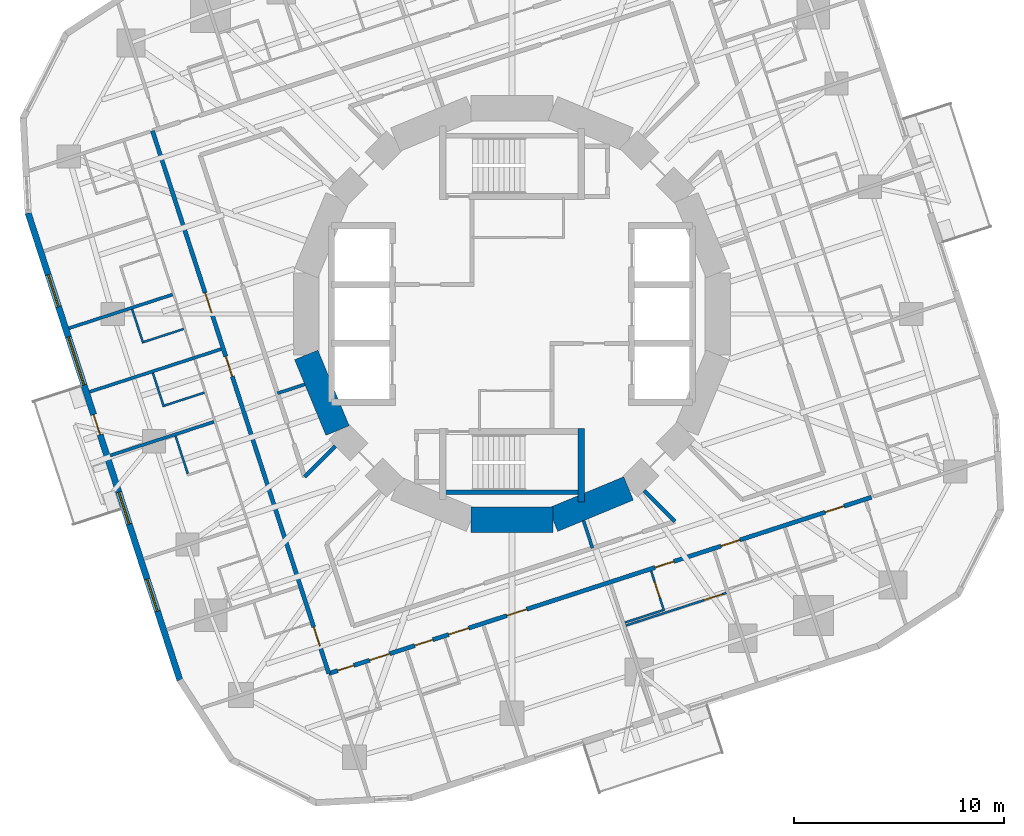
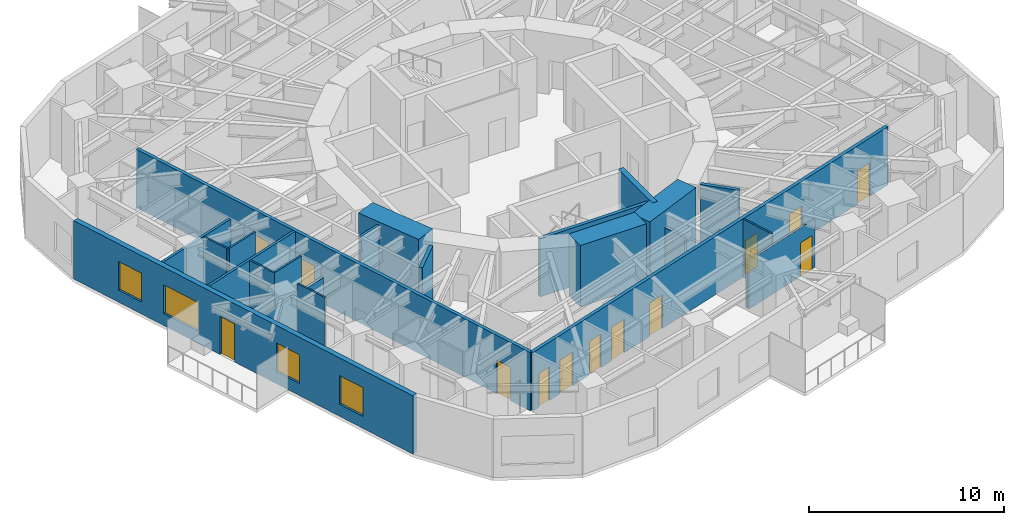
# One storey, part 5 of 13: 23 walls, 14 doors, 4 windows, 18 openings.
"""IFC4 building model written with IfcOpenShell, lengths in metres."""

from ifc_helpers import new_model, si_unit, direction, frame, frame_2d, origin, place, context, subcontext, project, spatial, rectangle, extrude, material, layer, layer_set, type_object, element, fill, save


model = new_model("IFC4")

# Units and contexts
model_context = context("Model", 3, precision=1e-05, world=origin(), true_north=direction((0.0, 1.0)))
body_context = subcontext(model_context, "Body", "Model", "MODEL_VIEW")
ifc_project = project(units=[si_unit("LENGTHUNIT", "METRE"), si_unit("AREAUNIT", "SQUARE_METRE"), si_unit("VOLUMEUNIT", "CUBIC_METRE"), si_unit("PLANEANGLEUNIT", "RADIAN"), si_unit("MASSUNIT", "GRAM", prefix="KILO")], contexts=[model_context])

# Site, building, storey
site_placement = place(None, origin())
site = spatial("IfcSite", under=ifc_project, at=site_placement, CompositionType="ELEMENT")
building_placement = place(site_placement, origin())
building = spatial("IfcBuilding", under=site, at=building_placement, Name="Nakasero Lantern House", CompositionType="ELEMENT")
storey_placement = place(building_placement, frame((0.0, 0.0, 161.050048828125)))
storey = spatial("IfcBuildingStorey", under=building, at=storey_placement, Name="L39", CompositionType="ELEMENT", Elevation=161.050048828125)

# Walls
ifc_material_1 = material(Name="Concrete C50/60", Category="concrete")
ifc_layer_1 = layer(ifc_material_1, 0.300048828125)
ifc_layer_set_1 = layer_set([ifc_layer_1], Name="Core inner wall 300")
wall_type_1 = type_object("IfcWallType", Name="Core inner wall 300", PredefinedType="SHEAR", material=ifc_layer_set_1)
wall_1_placement = place(storey_placement, frame((3.300048828125, -5.449951171875, 0.0), z_axis=(0.0, 0.0, 1.0), x_axis=(0.0, -1.0, 0.0)))
element("IfcWall", 1, at=wall_1_placement, inside=storey, type_object=wall_type_1, Name="Core inner wall L39 SSE", PredefinedType="SHEAR", context=body_context, shape_type="SweptSolid", body=[
    extrude(rectangle(XDim=3.5, YDim=0.300048828125, at=frame_2d((1.75, 0.0))), origin(), (0.0, 0.0, 1.0), 3.849853515625),
])
ifc_material_2 = material(Name="Concrete C50/60", Category="concrete")
ifc_layer_2 = layer(ifc_material_2, 1.199951171875)
ifc_layer_set_2 = layer_set([ifc_layer_2], Name="Core wall 1200")
wall_type_2 = type_object("IfcWallType", Name="Core wall 1200", PredefinedType="SHEAR", material=ifc_layer_set_2)
for number, where, z_axis, x_axis, name in (
    (2, (-9.807861328125, -1.950927734375, 0.0), (0.0, 0.0, 1.0), (0.382690736062, -0.923876507187, 0.0), "Core wall L39 facet 9"),
    (3, (-1.950927734375, -9.807861328125, 0.0), (0.0, 0.0, 1.0), (1.0, 0.0, 0.0), "Core wall L39 facet 12"),
    (4, (1.950927734375, -9.807861328125, 0.0), (0.0, 0.0, 1.0), (0.923876507187, 0.382690736062, 0.0), "Core wall L39 facet 13"),
):
    element("IfcWall", number, at=place(storey_placement, frame(where, z_axis=z_axis, x_axis=x_axis)), inside=storey, type_object=wall_type_2, Name=name, PredefinedType="SHEAR", context=body_context, shape_type="SweptSolid", body=[
        extrude(rectangle(XDim=3.90185546875, YDim=1.199951171875, at=frame_2d((1.950927734375, 0.0))), origin(), (0.0, 0.0, 1.0), 3.849853515625),
    ])

# Wall, openings, doors
ifc_material_3 = material(Name="Blockwork", Category="masonry")
ifc_layer_3 = layer(ifc_material_3, 0.199951171875)
ifc_layer_set_3 = layer_set([ifc_layer_3], Name="Corridor wall 200")
wall_type_3 = type_object("IfcWallType", Name="Corridor wall 200", PredefinedType="PARTITIONING", material=ifc_layer_set_3)
wall_2_placement = place(storey_placement, frame((-17.136962890625, 8.731689453125, 0.0), z_axis=(0.0, 0.0, 1.0), x_axis=(0.309018283835, -0.951056097323, 0.0)))
wall_2 = element("IfcWall", 5, at=wall_2_placement, inside=storey, type_object=wall_type_3, Name="Corridor wall L39 CW2", PredefinedType="PARTITIONING", context=body_context, shape_type="SweptSolid", body=[
    extrude(rectangle(XDim=27.199951171875, YDim=0.199951171875, at=frame_2d((13.60009765625, 0.0))), origin(), (0.0, 0.0, 1.0), 3.64990234375),
])
opening_1_placement = place(wall_2_placement, frame((8.118896484375, 0.0, 0.0)))
opening_1 = element("IfcOpeningElement", 6, at=opening_1_placement, cuts=wall_2, Name="Opening D14", PredefinedType="OPENING", context=body_context, shape_type="SweptSolid", body=[
    extrude(rectangle(XDim=1.0, YDim=2.10009765625, at=frame_2d((0.5, 1.050048828125))), frame((0.0, 0.119873046875, 0.0), z_axis=(0.0, -1.0, 0.0), x_axis=(1.0, 0.0, 0.0)), (0.0, 0.0, 1.0), 0.239990234375),
])
opening_2_placement = place(wall_2_placement, frame((11.30810546875, 0.0, 0.0)))
opening_2 = element("IfcOpeningElement", 7, at=opening_2_placement, cuts=wall_2, Name="Opening D14", PredefinedType="OPENING", context=body_context, shape_type="SweptSolid", body=[
    extrude(rectangle(XDim=1.0, YDim=2.10009765625, at=frame_2d((0.5, 1.050048828125))), frame((0.0, 0.119873046875, 0.0), z_axis=(0.0, -1.0, 0.0), x_axis=(1.0, 0.0, 0.0)), (0.0, 0.0, 1.0), 0.239990234375),
])
opening_3_placement = place(wall_2_placement, frame((24.872314453125, 0.0, 0.0)))
opening_3 = element("IfcOpeningElement", 8, at=opening_3_placement, cuts=wall_2, Name="Opening D01", PredefinedType="OPENING", context=body_context, shape_type="SweptSolid", body=[
    extrude(rectangle(XDim=0.949951171875, YDim=2.10009765625, at=frame_2d((0.47509765625, 1.050048828125))), frame((0.0, 0.119873046875, 0.0), z_axis=(0.0, -1.0, 0.0), x_axis=(1.0, 0.0, 0.0)), (0.0, 0.0, 1.0), 0.239990234375),
])
ifc_material_4 = material(Name="Timber C24", Category="wood")
door_type_1 = type_object("IfcDoorType", Name="Bedroom door FD30S 950", OperationType="SINGLE_SWING_LEFT", PredefinedType="DOOR", material=ifc_material_4)
door_1_placement = place(opening_3_placement, origin())
door_1 = element("IfcDoor", 9, at=door_1_placement, inside=storey, type_object=door_type_1, Name="Door L39 D2-06", OperationType="SINGLE_SWING_RIGHT", OverallHeight=2.10009765625, OverallWidth=0.949951171875, PredefinedType="DOOR", context=body_context, shape_type="SweptSolid", body=[
    extrude(rectangle(XDim=0.949951171875, YDim=2.10009765625, at=frame_2d((0.47509765625, 1.050048828125))), frame((0.0, 0.02490234375, 0.0), z_axis=(0.0, -1.0, 0.0), x_axis=(1.0, 0.0, 0.0)), (0.0, 0.0, 1.0), 0.050048828125),
])
fill(opening_3, door_1)
ifc_material_5 = material(Name="Timber C24", Category="wood")
door_type_2 = type_object("IfcDoorType", Name="Cluster entrance door FD30S 1000", OperationType="SINGLE_SWING_LEFT", PredefinedType="DOOR", material=ifc_material_5)
door_2_placement = place(opening_1_placement, origin())
door_2 = element("IfcDoor", 10, at=door_2_placement, inside=storey, type_object=door_type_2, Name="Door L39 DF2-0", OperationType="SINGLE_SWING_LEFT", OverallHeight=2.10009765625, OverallWidth=1.0, PredefinedType="DOOR", context=body_context, shape_type="SweptSolid", body=[
    extrude(rectangle(XDim=1.0, YDim=2.10009765625, at=frame_2d((0.5, 1.050048828125))), frame((0.0, 0.02490234375, 0.0), z_axis=(0.0, -1.0, 0.0), x_axis=(1.0, 0.0, 0.0)), (0.0, 0.0, 1.0), 0.050048828125),
])
fill(opening_1, door_2)
door_3_placement = place(opening_2_placement, origin())
door_3 = element("IfcDoor", 11, at=door_3_placement, inside=storey, type_object=door_type_2, Name="Door L39 DF2-1", OperationType="SINGLE_SWING_LEFT", OverallHeight=2.10009765625, OverallWidth=1.0, PredefinedType="DOOR", context=body_context, shape_type="SweptSolid", body=[
    extrude(rectangle(XDim=1.0, YDim=2.10009765625, at=frame_2d((0.5, 1.050048828125))), frame((0.0, 0.02490234375, 0.0), z_axis=(0.0, -1.0, 0.0), x_axis=(1.0, 0.0, 0.0)), (0.0, 0.0, 1.0), 0.050048828125),
])
fill(opening_2, door_3)

wall_3_placement = place(storey_placement, frame((-8.731689453125, -17.136962890625, 0.0), z_axis=(0.0, 0.0, 1.0), x_axis=(0.951056097323, 0.309018283835, 0.0)))
wall_3 = element("IfcWall", 12, at=wall_3_placement, inside=storey, type_object=wall_type_3, Name="Corridor wall L39 CW3", PredefinedType="PARTITIONING", context=body_context, shape_type="SweptSolid", body=[
    extrude(rectangle(XDim=27.199951171875, YDim=0.199951171875, at=frame_2d((13.60009765625, 0.0))), origin(), (0.0, 0.0, 1.0), 3.64990234375),
])
opening_4_placement = place(wall_3_placement, frame((0.449951171875, 0.0, 0.0)))
opening_4 = element("IfcOpeningElement", 13, at=opening_4_placement, cuts=wall_3, Name="Opening D15", PredefinedType="OPENING", context=body_context, shape_type="SweptSolid", body=[
    extrude(rectangle(XDim=0.800048828125, YDim=2.10009765625, at=frame_2d((0.39990234375, 1.050048828125))), frame((0.0, 0.119873046875, 0.0), z_axis=(0.0, -1.0, 0.0), x_axis=(1.0, 0.0, 0.0)), (0.0, 0.0, 1.0), 0.239990234375),
])
opening_5_placement = place(wall_3_placement, frame((2.050048828125, 0.0, 0.0)))
opening_5 = element("IfcOpeningElement", 14, at=opening_5_placement, cuts=wall_3, Name="Opening D07", PredefinedType="OPENING", context=body_context, shape_type="SweptSolid", body=[
    extrude(rectangle(XDim=1.0, YDim=2.10009765625, at=frame_2d((0.5, 1.050048828125))), frame((0.0, 0.119873046875, 0.0), z_axis=(0.0, -1.0, 0.0), x_axis=(1.0, 0.0, 0.0)), (0.0, 0.0, 1.0), 0.239990234375),
])
opening_6_placement = place(wall_3_placement, frame((4.3095703125, 0.0, 0.0)))
opening_6 = element("IfcOpeningElement", 15, at=opening_6_placement, cuts=wall_3, Name="Opening D16", PredefinedType="OPENING", context=body_context, shape_type="SweptSolid", body=[
    extrude(rectangle(XDim=0.89990234375, YDim=2.10009765625, at=frame_2d((0.449951171875, 1.050048828125))), frame((0.0, 0.119873046875, 0.0), z_axis=(0.0, -1.0, 0.0), x_axis=(1.0, 0.0, 0.0)), (0.0, 0.0, 1.0), 0.239990234375),
])
opening_7_placement = place(wall_3_placement, frame((6.009521484375, 0.0, 0.0)))
opening_7 = element("IfcOpeningElement", 16, at=opening_7_placement, cuts=wall_3, Name="Opening D07", PredefinedType="OPENING", context=body_context, shape_type="SweptSolid", body=[
    extrude(rectangle(XDim=1.0, YDim=2.10009765625, at=frame_2d((0.5, 1.050048828125))), frame((0.0, 0.119873046875, 0.0), z_axis=(0.0, -1.0, 0.0), x_axis=(1.0, 0.0, 0.0)), (0.0, 0.0, 1.0), 0.239990234375),
])
opening_8_placement = place(wall_3_placement, frame((16.34716796875, 0.0, 0.0)))
opening_8 = element("IfcOpeningElement", 17, at=opening_8_placement, cuts=wall_3, Name="Opening D01", PredefinedType="OPENING", context=body_context, shape_type="SweptSolid", body=[
    extrude(rectangle(XDim=0.949951171875, YDim=2.10009765625, at=frame_2d((0.47509765625, 1.050048828125))), frame((0.0, 0.119873046875, 0.0), z_axis=(0.0, -1.0, 0.0), x_axis=(1.0, 0.0, 0.0)), (0.0, 0.0, 1.0), 0.239990234375),
])
opening_9_placement = place(wall_3_placement, frame((19.653076171875, 0.0, 0.0)))
opening_9 = element("IfcOpeningElement", 18, at=opening_9_placement, cuts=wall_3, Name="Opening D01", PredefinedType="OPENING", context=body_context, shape_type="SweptSolid", body=[
    extrude(rectangle(XDim=0.949951171875, YDim=2.10009765625, at=frame_2d((0.47509765625, 1.050048828125))), frame((0.0, 0.119873046875, 0.0), z_axis=(0.0, -1.0, 0.0), x_axis=(1.0, 0.0, 0.0)), (0.0, 0.0, 1.0), 0.239990234375),
])
opening_10_placement = place(wall_3_placement, frame((24.872314453125, 0.0, 0.0)))
opening_10 = element("IfcOpeningElement", 19, at=opening_10_placement, cuts=wall_3, Name="Opening D01", PredefinedType="OPENING", context=body_context, shape_type="SweptSolid", body=[
    extrude(rectangle(XDim=0.949951171875, YDim=2.10009765625, at=frame_2d((0.47509765625, 1.050048828125))), frame((0.0, 0.119873046875, 0.0), z_axis=(0.0, -1.0, 0.0), x_axis=(1.0, 0.0, 0.0)), (0.0, 0.0, 1.0), 0.239990234375),
])
opening_11_placement = place(wall_3_placement, frame((8.9189453125, 0.0, 0.0)))
opening_11 = element("IfcOpeningElement", 20, at=opening_11_placement, cuts=wall_3, Name="Opening D03", PredefinedType="OPENING", context=body_context, shape_type="SweptSolid", body=[
    extrude(rectangle(XDim=1.0, YDim=2.10009765625, at=frame_2d((0.5, 1.050048828125))), frame((0.0, 0.119873046875, 0.0), z_axis=(0.0, -1.0, 0.0), x_axis=(1.0, 0.0, 0.0)), (0.0, 0.0, 1.0), 0.239990234375),
])
ifc_material_6 = material(Name="Timber C24", Category="wood")
door_type_3 = type_object("IfcDoorType", Name="Accessible WC door 900", OperationType="SINGLE_SWING_RIGHT", PredefinedType="DOOR", material=ifc_material_6)
door_4_placement = place(opening_6_placement, origin())
door_4 = element("IfcDoor", 21, at=door_4_placement, inside=storey, type_object=door_type_3, Name="Door L39 DS3-01", OperationType="SINGLE_SWING_LEFT", OverallHeight=2.10009765625, OverallWidth=0.89990234375, PredefinedType="DOOR", context=body_context, shape_type="SweptSolid", body=[
    extrude(rectangle(XDim=0.89990234375, YDim=2.10009765625, at=frame_2d((0.449951171875, 1.050048828125))), frame((0.0, 0.02490234375, 0.0), z_axis=(0.0, -1.0, 0.0), x_axis=(1.0, 0.0, 0.0)), (0.0, 0.0, 1.0), 0.050048828125),
])
fill(opening_6, door_4)
door_5_placement = place(opening_8_placement, origin())
door_5 = element("IfcDoor", 22, at=door_5_placement, inside=storey, type_object=door_type_1, Name="Door L39 D3-04", OperationType="SINGLE_SWING_RIGHT", OverallHeight=2.10009765625, OverallWidth=0.949951171875, PredefinedType="DOOR", context=body_context, shape_type="SweptSolid", body=[
    extrude(rectangle(XDim=0.949951171875, YDim=2.10009765625, at=frame_2d((0.47509765625, 1.050048828125))), frame((0.0, 0.02490234375, 0.0), z_axis=(0.0, -1.0, 0.0), x_axis=(1.0, 0.0, 0.0)), (0.0, 0.0, 1.0), 0.050048828125),
])
fill(opening_8, door_5)
door_6_placement = place(opening_9_placement, origin())
door_6 = element("IfcDoor", 23, at=door_6_placement, inside=storey, type_object=door_type_1, Name="Door L39 D3-05", OperationType="SINGLE_SWING_RIGHT", OverallHeight=2.10009765625, OverallWidth=0.949951171875, PredefinedType="DOOR", context=body_context, shape_type="SweptSolid", body=[
    extrude(rectangle(XDim=0.949951171875, YDim=2.10009765625, at=frame_2d((0.47509765625, 1.050048828125))), frame((0.0, 0.02490234375, 0.0), z_axis=(0.0, -1.0, 0.0), x_axis=(1.0, 0.0, 0.0)), (0.0, 0.0, 1.0), 0.050048828125),
])
fill(opening_9, door_6)
door_7_placement = place(opening_10_placement, origin())
door_7 = element("IfcDoor", 24, at=door_7_placement, inside=storey, type_object=door_type_1, Name="Door L39 D3-06", OperationType="SINGLE_SWING_RIGHT", OverallHeight=2.10009765625, OverallWidth=0.949951171875, PredefinedType="DOOR", context=body_context, shape_type="SweptSolid", body=[
    extrude(rectangle(XDim=0.949951171875, YDim=2.10009765625, at=frame_2d((0.47509765625, 1.050048828125))), frame((0.0, 0.02490234375, 0.0), z_axis=(0.0, -1.0, 0.0), x_axis=(1.0, 0.0, 0.0)), (0.0, 0.0, 1.0), 0.050048828125),
])
fill(opening_10, door_7)
ifc_material_7 = material(Name="Timber C24", Category="wood")
door_type_4 = type_object("IfcDoorType", Name="Cleaner's store door FD30S 800", OperationType="SINGLE_SWING_LEFT", PredefinedType="DOOR", material=ifc_material_7)
door_8_placement = place(opening_4_placement, origin())
door_8 = element("IfcDoor", 25, at=door_8_placement, inside=storey, type_object=door_type_4, Name="Door L39 DS3-00", OperationType="SINGLE_SWING_LEFT", OverallHeight=2.10009765625, OverallWidth=0.800048828125, PredefinedType="DOOR", context=body_context, shape_type="SweptSolid", body=[
    extrude(rectangle(XDim=0.800048828125, YDim=2.10009765625, at=frame_2d((0.39990234375, 1.050048828125))), frame((0.0, 0.02490234375, 0.0), z_axis=(0.0, -1.0, 0.0), x_axis=(1.0, 0.0, 0.0)), (0.0, 0.0, 1.0), 0.050048828125),
])
fill(opening_4, door_8)
ifc_material_8 = material(Name="Timber C24", Category="wood")
door_type_5 = type_object("IfcDoorType", Name="Lounge door FD30S 1000", OperationType="SINGLE_SWING_LEFT", PredefinedType="DOOR", material=ifc_material_8)
door_9_placement = place(opening_11_placement, origin())
door_9 = element("IfcDoor", 26, at=door_9_placement, inside=storey, type_object=door_type_5, Name="Door L39 DK3", OperationType="SINGLE_SWING_LEFT", OverallHeight=2.10009765625, OverallWidth=1.0, PredefinedType="DOOR", context=body_context, shape_type="SweptSolid", body=[
    extrude(rectangle(XDim=1.0, YDim=2.10009765625, at=frame_2d((0.5, 1.050048828125))), frame((0.0, 0.02490234375, 0.0), z_axis=(0.0, -1.0, 0.0), x_axis=(1.0, 0.0, 0.0)), (0.0, 0.0, 1.0), 0.050048828125),
])
fill(opening_11, door_9)
ifc_material_9 = material(Name="Timber C24", Category="wood")
door_type_6 = type_object("IfcDoorType", Name="Room door FD30S 1000", OperationType="SINGLE_SWING_LEFT", PredefinedType="DOOR", material=ifc_material_9)
door_10_placement = place(opening_5_placement, origin())
door_10 = element("IfcDoor", 27, at=door_10_placement, inside=storey, type_object=door_type_6, Name="Door L39 D3-00", OperationType="SINGLE_SWING_LEFT", OverallHeight=2.10009765625, OverallWidth=1.0, PredefinedType="DOOR", context=body_context, shape_type="SweptSolid", body=[
    extrude(rectangle(XDim=1.0, YDim=2.10009765625, at=frame_2d((0.5, 1.050048828125))), frame((0.0, 0.02490234375, 0.0), z_axis=(0.0, -1.0, 0.0), x_axis=(1.0, 0.0, 0.0)), (0.0, 0.0, 1.0), 0.050048828125),
])
fill(opening_5, door_10)
door_11_placement = place(opening_7_placement, origin())
door_11 = element("IfcDoor", 28, at=door_11_placement, inside=storey, type_object=door_type_6, Name="Door L39 D3-01", OperationType="SINGLE_SWING_LEFT", OverallHeight=2.10009765625, OverallWidth=1.0, PredefinedType="DOOR", context=body_context, shape_type="SweptSolid", body=[
    extrude(rectangle(XDim=1.0, YDim=2.10009765625, at=frame_2d((0.5, 1.050048828125))), frame((0.0, 0.02490234375, 0.0), z_axis=(0.0, -1.0, 0.0), x_axis=(1.0, 0.0, 0.0)), (0.0, 0.0, 1.0), 0.050048828125),
])
fill(opening_7, door_11)

# Walls
for number, where, z_axis, x_axis, name in (
    (29, (-8.420166015625, -6.298828125, 0.0), (0.0, 0.0, 1.0), (-0.707106781187, -0.707106781187, 0.0), "Corridor wall L39 PS10b"),
    (30, (6.298828125, -8.420166015625, 0.0), (0.0, 0.0, 1.0), (0.707106781187, -0.707106781187, 0.0), "Corridor wall L39 PS14b"),
):
    element("IfcWall", number, at=place(storey_placement, frame(where, z_axis=z_axis, x_axis=x_axis)), inside=storey, type_object=wall_type_3, Name=name, PredefinedType="PARTITIONING", context=body_context, shape_type="SweptSolid", body=[
        extrude(rectangle(XDim=2.0712890625, YDim=0.199951171875, at=frame_2d((1.03564453125, 0.0))), origin(), (0.0, 0.0, 1.0), 3.64990234375),
    ])
ifc_material_10 = material(Name="Blockwork", Category="masonry")
ifc_layer_4 = layer(ifc_material_10, 0.10009765625)
ifc_layer_set_4 = layer_set([ifc_layer_4], Name="En-suite wall 100")
wall_type_4 = type_object("IfcWallType", Name="En-suite wall 100", PredefinedType="PARTITIONING", material=ifc_layer_set_4)
wall_4_placement = place(storey_placement, frame((-15.645263671875, -0.713623046875, 0.0), z_axis=(0.0, 0.0, 1.0), x_axis=(-0.951062257173, -0.308999325213, 0.0)))
element("IfcWall", 31, at=wall_4_placement, inside=storey, type_object=wall_type_4, Name="En-suite wall L39 SS2-0", PredefinedType="PARTITIONING", context=body_context, shape_type="SweptSolid", body=[
    extrude(rectangle(XDim=2.10009765625, YDim=0.10009765625, at=frame_2d((1.050048828125, 0.0))), origin(), (0.0, 0.0, 1.0), 3.64990234375),
])
wall_5_placement = place(storey_placement, frame((-18.104736328125, 0.22216796875, 0.0), z_axis=(0.0, 0.0, 1.0), x_axis=(0.309066587596, -0.951040401051, 0.0)))
element("IfcWall", 32, at=wall_5_placement, inside=storey, type_object=wall_type_4, Name="En-suite wall L39 SE2-0", PredefinedType="PARTITIONING", context=body_context, shape_type="SweptSolid", body=[
    extrude(rectangle(XDim=1.699951171875, YDim=0.10009765625, at=frame_2d((0.85009765625, 0.0))), origin(), (0.0, 0.0, 1.0), 3.64990234375),
])
wall_6_placement = place(storey_placement, frame((-14.65966796875, -3.74658203125, 0.0), z_axis=(0.0, 0.0, 1.0), x_axis=(-0.951062257173, -0.308999325213, 0.0)))
element("IfcWall", 33, at=wall_6_placement, inside=storey, type_object=wall_type_4, Name="En-suite wall L39 SS2-1", PredefinedType="PARTITIONING", context=body_context, shape_type="SweptSolid", body=[
    extrude(rectangle(XDim=2.10009765625, YDim=0.10009765625, at=frame_2d((1.050048828125, 0.0))), origin(), (0.0, 0.0, 1.0), 3.64990234375),
])
wall_7_placement = place(storey_placement, frame((-17.119384765625, -2.810791015625, 0.0), z_axis=(0.0, 0.0, 1.0), x_axis=(0.309066587596, -0.951040401051, 0.0)))
element("IfcWall", 34, at=wall_7_placement, inside=storey, type_object=wall_type_4, Name="En-suite wall L39 SE2-1", PredefinedType="PARTITIONING", context=body_context, shape_type="SweptSolid", body=[
    extrude(rectangle(XDim=1.699951171875, YDim=0.10009765625, at=frame_2d((0.85009765625, 0.0))), origin(), (0.0, 0.0, 1.0), 3.64990234375),
])
wall_8_placement = place(storey_placement, frame((-16.038818359375, -5.812744140625, 0.0), z_axis=(0.0, 0.0, 1.0), x_axis=(0.309010533671, -0.951058615481, 0.0)))
element("IfcWall", 35, at=wall_8_placement, inside=storey, type_object=wall_type_4, Name="En-suite wall L39 EE2-04", PredefinedType="PARTITIONING", context=body_context, shape_type="SweptSolid", body=[
    extrude(rectangle(XDim=1.900146484375, YDim=0.10009765625, at=frame_2d((0.9501953125, 0.0))), origin(), (0.0, 0.0, 1.0), 3.64990234375),
])

# Wall, opening, door
wall_9_placement = place(storey_placement, frame((6.632080078125, -12.25, 0.0), z_axis=(0.0, 0.0, 1.0), x_axis=(0.309077791808, -0.951036759863, 0.0)))
wall_9 = element("IfcWall", 36, at=wall_9_placement, inside=storey, type_object=wall_type_4, Name="En-suite wall L39 ES3-04", PredefinedType="PARTITIONING", context=body_context, shape_type="SweptSolid", body=[
    extrude(rectangle(XDim=2.0, YDim=0.10009765625, at=frame_2d((1.0, 0.0))), origin(), (0.0, 0.0, 1.0), 3.64990234375),
])
opening_12_placement = place(wall_9_placement, frame((0.550048828125, 0.0, 0.0)))
opening_12 = element("IfcOpeningElement", 37, at=opening_12_placement, cuts=wall_9, Name="Opening D02", PredefinedType="OPENING", context=body_context, shape_type="SweptSolid", body=[
    extrude(rectangle(XDim=0.800048828125, YDim=2.10009765625, at=frame_2d((0.39990234375, 1.050048828125))), frame((0.0, 0.070068359375, 0.0), z_axis=(0.0, -1.0, 0.0), x_axis=(1.0, 0.0, 0.0)), (0.0, 0.0, 1.0), 0.14013671875),
])
ifc_material_11 = material(Name="Timber C24", Category="wood")
door_type_7 = type_object("IfcDoorType", Name="En-suite door 800", OperationType="SINGLE_SWING_RIGHT", PredefinedType="DOOR", material=ifc_material_11)
door_12_placement = place(opening_12_placement, origin())
door_12 = element("IfcDoor", 38, at=door_12_placement, inside=storey, type_object=door_type_7, Name="Door L39 DE3-04", OperationType="SINGLE_SWING_LEFT", OverallHeight=2.10009765625, OverallWidth=0.800048828125, PredefinedType="DOOR", context=body_context, shape_type="SweptSolid", body=[
    extrude(rectangle(XDim=0.800048828125, YDim=2.10009765625, at=frame_2d((0.39990234375, 1.050048828125))), frame((0.0, 0.02490234375, 0.0), z_axis=(0.0, -1.0, 0.0), x_axis=(1.0, 0.0, 0.0)), (0.0, 0.0, 1.0), 0.050048828125),
])
fill(opening_12, door_12)

# Wall
wall_10_placement = place(storey_placement, frame((5.380126953125, -14.707275390625, 0.0), z_axis=(0.0, 0.0, 1.0), x_axis=(0.951058615481, 0.309010533671, 0.0)))
element("IfcWall", 39, at=wall_10_placement, inside=storey, type_object=wall_type_4, Name="En-suite wall L39 EE3-04", PredefinedType="PARTITIONING", context=body_context, shape_type="SweptSolid", body=[
    extrude(rectangle(XDim=1.900146484375, YDim=0.10009765625, at=frame_2d((0.9501953125, 0.0))), origin(), (0.0, 0.0, 1.0), 3.037841796875),
])

# Wall, opening, door
wall_11_placement = place(storey_placement, frame((5.426513671875, -14.849853515625, 0.0), z_axis=(0.0, 0.0, 1.0), x_axis=(0.951057958488, 0.309012555725, 0.0)))
wall_11 = element("IfcWall", 40, at=wall_11_placement, inside=storey, type_object=wall_type_4, Name="En-suite wall L39 EL3-04", PredefinedType="PARTITIONING", context=body_context, shape_type="SweptSolid", body=[
    extrude(rectangle(XDim=5.03125, YDim=0.10009765625, at=frame_2d((2.515625, 0.0))), origin(), (0.0, 0.0, 1.0), 3.037841796875),
])
opening_13_placement = place(wall_11_placement, frame((3.93115234375, 0.0, 0.0)))
opening_13 = element("IfcOpeningElement", 41, at=opening_13_placement, cuts=wall_11, Name="Opening D17", PredefinedType="OPENING", context=body_context, shape_type="SweptSolid", body=[
    extrude(rectangle(XDim=0.89990234375, YDim=2.10009765625, at=frame_2d((0.449951171875, 1.050048828125))), frame((0.0, 0.070068359375, 0.0), z_axis=(0.0, -1.0, 0.0), x_axis=(1.0, 0.0, 0.0)), (0.0, 0.0, 1.0), 0.14013671875),
])
ifc_material_12 = material(Name="Timber C24", Category="wood")
door_type_8 = type_object("IfcDoorType", Name="Bedroom door FD30S 900", OperationType="SINGLE_SWING_LEFT", PredefinedType="DOOR", material=ifc_material_12)
door_13_placement = place(opening_13_placement, origin())
door_13 = element("IfcDoor", 42, at=door_13_placement, inside=storey, type_object=door_type_8, Name="Door L39 DL3-04", OperationType="SINGLE_SWING_RIGHT", OverallHeight=2.10009765625, OverallWidth=0.89990234375, PredefinedType="DOOR", context=body_context, shape_type="SweptSolid", body=[
    extrude(rectangle(XDim=0.89990234375, YDim=2.10009765625, at=frame_2d((0.449951171875, 1.050048828125))), frame((0.0, 0.02490234375, 0.0), z_axis=(0.0, -1.0, 0.0), x_axis=(1.0, 0.0, 0.0)), (0.0, 0.0, 1.0), 0.050048828125),
])
fill(opening_13, door_13)

# Wall, openings, door, windows
ifc_material_13 = material(Name="Aluminium rainscreen on blockwork", Category="masonry")
ifc_layer_5 = layer(ifc_material_13, 0.300048828125)
ifc_layer_set_5 = layer_set([ifc_layer_5], Name="Facade wall 300")
wall_type_5 = type_object("IfcWallType", Name="Facade wall 300", PredefinedType="SOLIDWALL", material=ifc_layer_set_5)
wall_12_placement = place(storey_placement, frame((-23.064697265625, 4.807861328125, 0.0), z_axis=(0.0, 0.0, 1.0), x_axis=(0.30902591324, -0.951053618334, 0.0)))
wall_12 = element("IfcWall", 43, at=wall_12_placement, inside=storey, type_object=wall_type_5, Name="Facade wall L39 FW2S", PredefinedType="SOLIDWALL", context=body_context, shape_type="SweptSolid", body=[
    extrude(rectangle(XDim=23.39990234375, YDim=0.300048828125, at=frame_2d((11.699951171875, 0.0))), origin(), (0.0, 0.0, 1.0), 3.64990234375),
])
opening_14_placement = place(wall_12_placement, frame((3.089111328125, 0.0, 0.75)))
opening_14 = element("IfcOpeningElement", 44, at=opening_14_placement, cuts=wall_12, Name="Opening W01", PredefinedType="OPENING", context=body_context, shape_type="SweptSolid", body=[
    extrude(rectangle(XDim=1.60009765625, YDim=1.800048828125, at=frame_2d((0.800048828125, 0.89990234375))), frame((0.0, 0.169921875, 0.0), z_axis=(0.0, -1.0, 0.0), x_axis=(1.0, 0.0, 0.0)), (0.0, 0.0, 1.0), 0.340087890625),
])
opening_15_placement = place(wall_12_placement, frame((13.987548828125, 0.0, 0.75)))
opening_15 = element("IfcOpeningElement", 45, at=opening_15_placement, cuts=wall_12, Name="Opening W01", PredefinedType="OPENING", context=body_context, shape_type="SweptSolid", body=[
    extrude(rectangle(XDim=1.60009765625, YDim=1.800048828125, at=frame_2d((0.800048828125, 0.89990234375))), frame((0.0, 0.169921875, 0.0), z_axis=(0.0, -1.0, 0.0), x_axis=(1.0, 0.0, 0.0)), (0.0, 0.0, 1.0), 0.340087890625),
])
opening_16_placement = place(wall_12_placement, frame((18.350341796875, 0.0, 0.75)))
opening_16 = element("IfcOpeningElement", 46, at=opening_16_placement, cuts=wall_12, Name="Opening W01", PredefinedType="OPENING", context=body_context, shape_type="SweptSolid", body=[
    extrude(rectangle(XDim=1.60009765625, YDim=1.800048828125, at=frame_2d((0.800048828125, 0.89990234375))), frame((0.0, 0.169921875, 0.0), z_axis=(0.0, -1.0, 0.0), x_axis=(1.0, 0.0, 0.0)), (0.0, 0.0, 1.0), 0.340087890625),
])
opening_17_placement = place(wall_12_placement, frame((6.21337890625, 0.0, 0.75)))
opening_17 = element("IfcOpeningElement", 47, at=opening_17_placement, cuts=wall_12, Name="Opening W03", PredefinedType="OPENING", context=body_context, shape_type="SweptSolid", body=[
    extrude(rectangle(XDim=2.39990234375, YDim=1.800048828125, at=frame_2d((1.199951171875, 0.89990234375))), frame((0.0, 0.169921875, 0.0), z_axis=(0.0, -1.0, 0.0), x_axis=(1.0, 0.0, 0.0)), (0.0, 0.0, 1.0), 0.340087890625),
])
opening_18_placement = place(wall_12_placement, frame((10.1025390625, 0.0, 0.0)))
opening_18 = element("IfcOpeningElement", 48, at=opening_18_placement, cuts=wall_12, Name="Opening D04", PredefinedType="OPENING", context=body_context, shape_type="SweptSolid", body=[
    extrude(rectangle(XDim=1.0, YDim=2.39990234375, at=frame_2d((0.5, 1.199951171875))), frame((0.0, 0.169921875, 0.0), z_axis=(0.0, -1.0, 0.0), x_axis=(1.0, 0.0, 0.0)), (0.0, 0.0, 1.0), 0.340087890625),
])
ifc_material_14 = material(Name="Aluminium 6063-T6 and glass", Category="aluminium")
door_type_9 = type_object("IfcDoorType", Name="Balcony door 1000x2400", OperationType="SINGLE_SWING_RIGHT", PredefinedType="DOOR", material=ifc_material_14)
door_14_placement = place(opening_18_placement, origin())
door_14 = element("IfcDoor", 49, at=door_14_placement, inside=storey, type_object=door_type_9, Name="Balcony door L39 DB2", OperationType="SINGLE_SWING_RIGHT", OverallHeight=2.39990234375, OverallWidth=1.0, PredefinedType="DOOR", context=body_context, shape_type="SweptSolid", body=[
    extrude(rectangle(XDim=1.0, YDim=2.39990234375, at=frame_2d((0.5, 1.199951171875))), frame((0.0, 0.02490234375, 0.0), z_axis=(0.0, -1.0, 0.0), x_axis=(1.0, 0.0, 0.0)), (0.0, 0.0, 1.0), 0.050048828125),
])
fill(opening_18, door_14)
ifc_material_15 = material(Name="Aluminium 6063-T6 and glass", Category="aluminium")
window_type_1 = type_object("IfcWindowType", Name="Bedroom window 1600x1800", PartitioningType="SINGLE_PANEL", PredefinedType="WINDOW", material=ifc_material_15)
window_1_placement = place(opening_14_placement, origin())
window_1 = element("IfcWindow", 50, at=window_1_placement, inside=storey, type_object=window_type_1, Name="Window L39 WN2-01", OverallHeight=1.800048828125, OverallWidth=1.60009765625, PartitioningType="SINGLE_PANEL", PredefinedType="WINDOW", context=body_context, shape_type="SweptSolid", body=[
    extrude(rectangle(XDim=1.60009765625, YDim=1.800048828125, at=frame_2d((0.800048828125, 0.89990234375))), frame((0.0, 0.030029296875, 0.0), z_axis=(0.0, -1.0, 0.0), x_axis=(1.0, 0.0, 0.0)), (0.0, 0.0, 1.0), 0.06005859375),
])
fill(opening_14, window_1)
window_2_placement = place(opening_15_placement, origin())
window_2 = element("IfcWindow", 51, at=window_2_placement, inside=storey, type_object=window_type_1, Name="Window L39 WN2-04", OverallHeight=1.800048828125, OverallWidth=1.60009765625, PartitioningType="SINGLE_PANEL", PredefinedType="WINDOW", context=body_context, shape_type="SweptSolid", body=[
    extrude(rectangle(XDim=1.60009765625, YDim=1.800048828125, at=frame_2d((0.800048828125, 0.89990234375))), frame((0.0, 0.030029296875, 0.0), z_axis=(0.0, -1.0, 0.0), x_axis=(1.0, 0.0, 0.0)), (0.0, 0.0, 1.0), 0.06005859375),
])
fill(opening_15, window_2)
window_3_placement = place(opening_16_placement, origin())
window_3 = element("IfcWindow", 52, at=window_3_placement, inside=storey, type_object=window_type_1, Name="Window L39 WN2-05", OverallHeight=1.800048828125, OverallWidth=1.60009765625, PartitioningType="SINGLE_PANEL", PredefinedType="WINDOW", context=body_context, shape_type="SweptSolid", body=[
    extrude(rectangle(XDim=1.60009765625, YDim=1.800048828125, at=frame_2d((0.800048828125, 0.89990234375))), frame((0.0, 0.030029296875, 0.0), z_axis=(0.0, -1.0, 0.0), x_axis=(1.0, 0.0, 0.0)), (0.0, 0.0, 1.0), 0.06005859375),
])
fill(opening_16, window_3)
ifc_material_16 = material(Name="Aluminium 6063-T6 and glass", Category="aluminium")
window_type_2 = type_object("IfcWindowType", Name="Lounge window 2400x1800", PartitioningType="SINGLE_PANEL", PredefinedType="WINDOW", material=ifc_material_16)
window_4_placement = place(opening_17_placement, origin())
window_4 = element("IfcWindow", 53, at=window_4_placement, inside=storey, type_object=window_type_2, Name="Window L39 WK2", OverallHeight=1.800048828125, OverallWidth=2.39990234375, PartitioningType="SINGLE_PANEL", PredefinedType="WINDOW", context=body_context, shape_type="SweptSolid", body=[
    extrude(rectangle(XDim=2.39990234375, YDim=1.800048828125, at=frame_2d((1.199951171875, 0.89990234375))), frame((0.0, 0.030029296875, 0.0), z_axis=(0.0, -1.0, 0.0), x_axis=(1.0, 0.0, 0.0)), (0.0, 0.0, 1.0), 0.06005859375),
])
fill(opening_17, window_4)

# Walls
ifc_material_17 = material(Name="Blockwork", Category="masonry")
ifc_layer_6 = layer(ifc_material_17, 0.199951171875)
ifc_layer_set_6 = layer_set([ifc_layer_6], Name="Fire lobby wall 200")
wall_type_6 = type_object("IfcWallType", Name="Fire lobby wall 200", PredefinedType="PARTITIONING", material=ifc_layer_set_6)
wall_13_placement = place(storey_placement, frame((-3.300048828125, -8.5, 0.0), z_axis=(0.0, 0.0, 1.0), x_axis=(1.0, 0.0, 0.0)))
element("IfcWall", 54, at=wall_13_placement, inside=storey, type_object=wall_type_6, Name="Fire lobby wall L39 W-STS", PredefinedType="PARTITIONING", context=body_context, shape_type="SweptSolid", body=[
    extrude(rectangle(XDim=6.60009765625, YDim=0.199951171875, at=frame_2d((3.300048828125, 0.0))), origin(), (0.0, 0.0, 1.0), 3.64990234375),
])
ifc_material_18 = material(Name="Blockwork", Category="masonry")
ifc_layer_7 = layer(ifc_material_18, 0.14990234375)
ifc_layer_set_7 = layer_set([ifc_layer_7], Name="Party wall 150")
wall_type_7 = type_object("IfcWallType", Name="Party wall 150", PredefinedType="PARTITIONING", material=ifc_layer_set_7)
wall_14_placement = place(storey_placement, frame((-16.17822265625, 0.927001953125, 0.0), z_axis=(0.0, 0.0, 1.0), x_axis=(-0.951055112834, -0.309021313752, 0.0)))
element("IfcWall", 55, at=wall_14_placement, inside=storey, type_object=wall_type_7, Name="Party wall L39 PW2-02", PredefinedType="PARTITIONING", context=body_context, shape_type="SweptSolid", body=[
    extrude(rectangle(XDim=5.2001953125, YDim=0.14990234375, at=frame_2d((2.60009765625, 0.0))), origin(), (0.0, 0.0, 1.0), 3.64990234375),
])
wall_15_placement = place(storey_placement, frame((-13.861328125, -1.67333984375, 0.0), z_axis=(0.0, 0.0, 1.0), x_axis=(-0.951056628375, -0.309016649428, 0.0)))
element("IfcWall", 56, at=wall_15_placement, inside=storey, type_object=wall_type_7, Name="Party wall L39 PW2-03", PredefinedType="PARTITIONING", context=body_context, shape_type="SweptSolid", body=[
    extrude(rectangle(XDim=6.60009765625, YDim=0.14990234375, at=frame_2d((3.300048828125, 0.0))), origin(), (0.0, 0.0, 1.0), 3.64990234375),
])
wall_16_placement = place(storey_placement, frame((-14.207275390625, -5.138916015625, 0.0), z_axis=(0.0, 0.0, 1.0), x_axis=(-0.951055112834, -0.309021313752, 0.0)))
element("IfcWall", 57, at=wall_16_placement, inside=storey, type_object=wall_type_7, Name="Party wall L39 PW2-04", PredefinedType="PARTITIONING", context=body_context, shape_type="SweptSolid", body=[
    extrude(rectangle(XDim=5.2001953125, YDim=0.14990234375, at=frame_2d((2.60009765625, 0.0))), origin(), (0.0, 0.0, 1.0), 2.966552734375),
])
wall_17_placement = place(storey_placement, frame((-11.17919921875, -3.779541015625, 0.0), z_axis=(0.0, 0.0, 1.0), x_axis=(0.951077243429, 0.308953195535, 0.0)))
element("IfcWall", 58, at=wall_17_placement, inside=storey, type_object=wall_type_7, Name="Party wall L39 IM2", PredefinedType="PARTITIONING", context=body_context, shape_type="SweptSolid", body=[
    extrude(rectangle(XDim=1.37109375, YDim=0.14990234375, at=frame_2d((0.685546875, 0.0))), origin(), (0.0, 0.0, 1.0), 3.64990234375),
])
wall_18_placement = place(storey_placement, frame((3.836669921875, -11.16064453125, 0.0), z_axis=(0.0, 0.0, 1.0), x_axis=(-0.309138236978, 0.951017113641, 0.0)))
element("IfcWall", 59, at=wall_18_placement, inside=storey, type_object=wall_type_7, Name="Party wall L39 IM3", PredefinedType="PARTITIONING", context=body_context, shape_type="SweptSolid", body=[
    extrude(rectangle(XDim=1.375732421875, YDim=0.14990234375, at=frame_2d((0.68798828125, 0.0))), origin(), (0.0, 0.0, 1.0), 2.809326171875),
])

save(model, "model.ifc")
